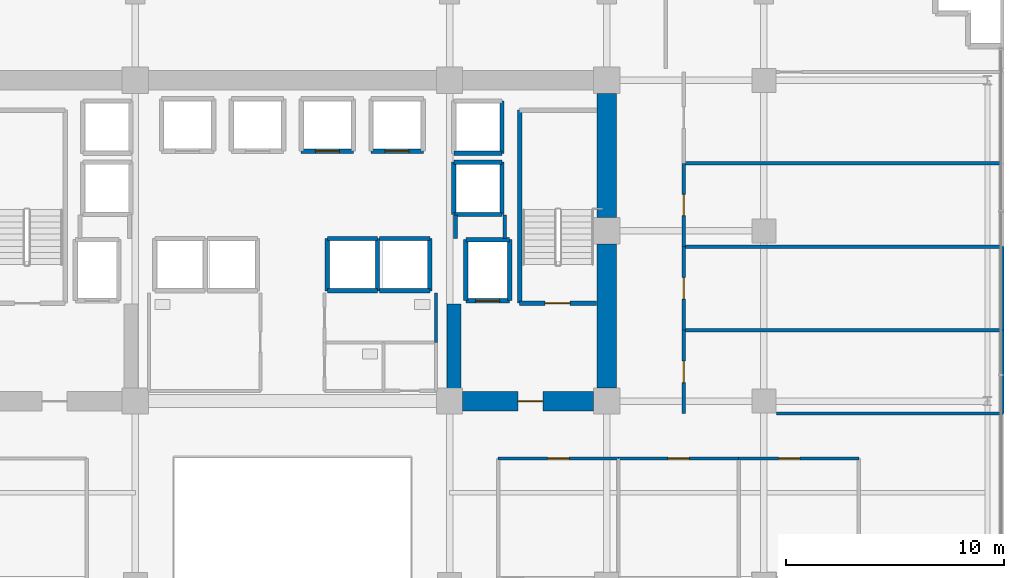
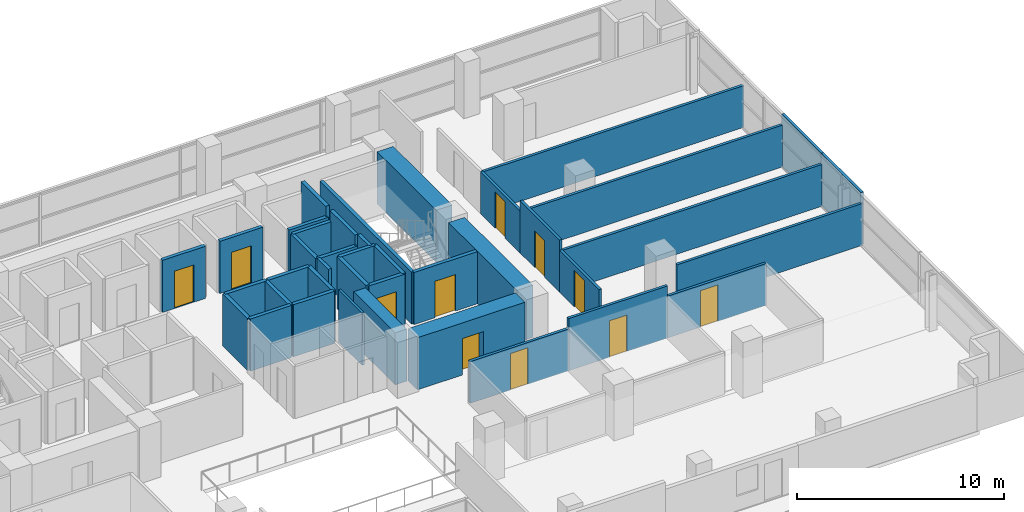
# One storey, part 26 of 32: 40 walls, 11 doors, 11 openings.
"""IFC4 building model written with IfcOpenShell, lengths in metres."""

from ifc_helpers import new_model, si_unit, direction, frame, frame_2d, origin, place, context, subcontext, project, spatial, rectangle, extrude, source, transform, mapped, material, layer, layer_set, type_object, element, fill, save


model = new_model("IFC4")

# Units and contexts
model_context = context("Model", 3, precision=1e-05, world=origin(), true_north=direction((0.0, 1.0)))
body_context = subcontext(model_context, "Body", "Model", "MODEL_VIEW")
ifc_project = project(units=[si_unit("LENGTHUNIT", "METRE"), si_unit("AREAUNIT", "SQUARE_METRE"), si_unit("VOLUMEUNIT", "CUBIC_METRE"), si_unit("PLANEANGLEUNIT", "RADIAN"), si_unit("MASSUNIT", "GRAM", prefix="KILO")], contexts=[model_context])

# Site, building, storey
site_placement = place(None, origin())
site = spatial("IfcSite", under=ifc_project, at=site_placement, CompositionType="ELEMENT")
building_placement = place(site_placement, origin())
building = spatial("IfcBuilding", under=site, at=building_placement, Name="Zarnakvel Exchange Tower", CompositionType="ELEMENT")
storey_placement = place(building_placement, frame((0.0, 0.0, 73.60009765625)))
storey = spatial("IfcBuildingStorey", under=building, at=storey_placement, Name="L20", CompositionType="ELEMENT", Elevation=73.60009765625)

# Walls
ifc_material_1 = material(Name="Concrete C80/95", Category="concrete")
ifc_layer_1 = layer(ifc_material_1, 0.89990234375)
ifc_layer_set_1 = layer_set([ifc_layer_1], Name="Concrete C80/95")
wall_type_1 = type_object("IfcWallType", Name="CW-C1", PredefinedType="SHEAR", material=ifc_layer_set_1)
wall_1_placement = place(storey_placement, frame((14.39990234375, -0.60009765625, 0.0), z_axis=(0.0, 0.0, 1.0), x_axis=(0.0, 1.0, 0.0)))
element("IfcWall", 1, at=wall_1_placement, inside=storey, type_object=wall_type_1, Name="L20 Rear Core Shear Wall E1 (CW-C1)", PredefinedType="SHEAR", context=body_context, shape_type="SweptSolid", body=[
    extrude(rectangle(XDim=6.60009765625, YDim=0.89990234375, at=frame_2d((3.300048828125, 0.0))), origin(), (0.0, 0.0, 1.0), 3.074951171875),
])
wall_2_placement = place(storey_placement, frame((14.39990234375, 7.199951171875, 0.0), z_axis=(0.0, 0.0, 1.0), x_axis=(0.0, 1.0, 0.0)))
element("IfcWall", 2, at=wall_2_placement, inside=storey, type_object=wall_type_1, Name="L20 Rear Core Shear Wall E2 (CW-C1)", PredefinedType="SHEAR", context=body_context, shape_type="SweptSolid", body=[
    extrude(rectangle(XDim=5.699951171875, YDim=0.89990234375, at=frame_2d((2.85009765625, 0.0))), origin(), (0.0, 0.0, 1.0), 3.074951171875),
])

# Wall, opening, door
wall_3_placement = place(storey_placement, frame((13.800048828125, -1.199951171875, 0.0), z_axis=(0.0, 0.0, 1.0), x_axis=(-1.0, 0.0, 0.0)))
wall_3 = element("IfcWall", 3, at=wall_3_placement, inside=storey, type_object=wall_type_1, Name="L20 Rear Core Shear Wall SE (CW-C1)", PredefinedType="SHEAR", context=body_context, shape_type="SweptSolid", body=[
    extrude(rectangle(XDim=6.0, YDim=0.89990234375, at=frame_2d((3.0, 0.0))), origin(), (0.0, 0.0, 1.0), 3.074951171875),
])
opening_1_placement = place(wall_3_placement, frame((2.324951171875, 0.0, 0.0)))
opening_1 = element("IfcOpeningElement", 4, at=opening_1_placement, cuts=wall_3, Name="Opening D-L20-04", PredefinedType="OPENING", context=body_context, shape_type="SweptSolid", body=[
    extrude(rectangle(XDim=1.14990234375, YDim=2.14990234375, at=frame_2d((0.574951171875, 1.074951171875))), frame((0.0, 0.4599609375, 0.0), z_axis=(0.0, -1.0, 0.0), x_axis=(1.0, 0.0, 0.0)), (0.0, 0.0, 1.0), 0.919921875),
])
ifc_material_2 = material(Name="Painted Galvanised Steel S355", Category="steel")
door_type_1 = type_object("IfcDoorType", Name="DT-04", OperationType="NOTDEFINED", PredefinedType="DOOR", material=ifc_material_2)
shared_shape_1 = source(origin(), body_context, "Body", "SweptSolid", [
    extrude(rectangle(XDim=1.14990234375, YDim=2.14990234375, at=frame_2d((0.574951171875, 1.074951171875))), frame((0.0, 0.02490234375, 0.0), z_axis=(0.0, -1.0, 0.0), x_axis=(1.0, 0.0, 0.0)), (0.0, 0.0, 1.0), 0.050048828125),
])
door_1_placement = place(opening_1_placement, origin())
door_1 = element("IfcDoor", 5, at=door_1_placement, inside=storey, type_object=door_type_1, Name="L20 Firefighting Lobby East Door D-L20-04", OperationType="SINGLE_SWING_RIGHT", OverallHeight=2.14990234375, OverallWidth=1.14990234375, PredefinedType="DOOR", context=body_context, shape_type="MappedRepresentation", body=[
    mapped(shared_shape_1, transform((0.0, 0.0, 0.0), x_axis=(1.0, 0.0, 0.0), y_axis=(0.0, 1.0, 0.0), z_axis=(0.0, 0.0, 1.0), scale=1.0)),
])
fill(opening_1, door_1)

# Wall
ifc_layer_2 = layer(ifc_material_1, 0.64990234375)
ifc_layer_set_2 = layer_set([ifc_layer_2], Name="Concrete C80/95")
wall_type_2 = type_object("IfcWallType", Name="CW-C2", PredefinedType="SHEAR", material=ifc_layer_set_2)
wall_4_placement = place(storey_placement, frame((7.39990234375, -0.75, 0.0), z_axis=(0.0, 0.0, 1.0), x_axis=(0.0, 1.0, 0.0)))
element("IfcWall", 6, at=wall_4_placement, inside=storey, type_object=wall_type_2, Name="L20 Rear Core Shear Wall IE (CW-C2)", PredefinedType="SHEAR", context=body_context, shape_type="SweptSolid", body=[
    extrude(rectangle(XDim=4.0, YDim=0.64990234375, at=frame_2d((2.0, 0.0))), origin(), (0.0, 0.0, 1.0), 3.074951171875),
])

# Wall, opening, door
ifc_material_3 = material(Name="Fire-Rated Gypsum Stud Partition", Category="gypsum")
ifc_layer_3 = layer(ifc_material_3, 0.14990234375)
ifc_layer_set_3 = layer_set([ifc_layer_3], Name="Fire-Rated Gypsum Stud Partition")
wall_type_3 = type_object("IfcWallType", Name="PT-01", PredefinedType="PARTITIONING", material=ifc_layer_set_3)
wall_5_placement = place(storey_placement, frame((9.429931640625, -3.830078125, 0.0), z_axis=(0.0, 0.0, 1.0), x_axis=(1.0, 0.0, 0.0)))
wall_5 = element("IfcWall", 7, at=wall_5_placement, inside=storey, type_object=wall_type_3, Name="L20 Partition Wall PWALL-L20-033 (PT-01)", PredefinedType="PARTITIONING", context=body_context, shape_type="SweptSolid", body=[
    extrude(rectangle(XDim=5.507568359375, YDim=0.14990234375, at=frame_2d((2.75390625, 0.0))), origin(), (0.0, 0.0, 1.0), 2.46484375),
])
opening_2_placement = place(wall_5_placement, frame((2.263916015625, 0.0, 0.0)))
opening_2 = element("IfcOpeningElement", 8, at=opening_2_placement, cuts=wall_5, Name="Opening D-L20-12", PredefinedType="OPENING", context=body_context, shape_type="SweptSolid", body=[
    extrude(rectangle(XDim=0.97998046875, YDim=2.14990234375, at=frame_2d((0.489990234375, 1.074951171875))), frame((0.0, 0.0849609375, 0.0), z_axis=(0.0, -1.0, 0.0), x_axis=(1.0, 0.0, 0.0)), (0.0, 0.0, 1.0), 0.169921875),
])
ifc_material_4 = material(Name="Timber Acoustic Veneer", Category="wood")
door_type_2 = type_object("IfcDoorType", Name="DT-05", OperationType="NOTDEFINED", PredefinedType="DOOR", material=ifc_material_4)
shared_shape_2 = source(origin(), body_context, "Body", "SweptSolid", [
    extrude(rectangle(XDim=0.97998046875, YDim=2.14990234375, at=frame_2d((0.489990234375, 1.074951171875))), frame((0.0, 0.02490234375, 0.0), z_axis=(0.0, -1.0, 0.0), x_axis=(1.0, 0.0, 0.0)), (0.0, 0.0, 1.0), 0.050048828125),
])
door_2_placement = place(opening_2_placement, origin())
door_2 = element("IfcDoor", 9, at=door_2_placement, inside=storey, type_object=door_type_2, Name="L20 Boardroom Door D-L20-12", OperationType="SINGLE_SWING_RIGHT", OverallHeight=2.14990234375, OverallWidth=0.97998046875, PredefinedType="DOOR", context=body_context, shape_type="MappedRepresentation", body=[
    mapped(shared_shape_2, transform((0.0, 0.0, 0.0), x_axis=(1.0, 0.0, 0.0), y_axis=(0.0, 1.0, 0.0), z_axis=(0.0, 0.0, 1.0), scale=1.0)),
])
fill(opening_2, door_2)

wall_6_placement = place(storey_placement, frame((14.9375, -3.830078125, 0.0), z_axis=(0.0, 0.0, 1.0), x_axis=(1.0, 0.0, 0.0)))
wall_6 = element("IfcWall", 10, at=wall_6_placement, inside=storey, type_object=wall_type_3, Name="L20 Partition Wall PWALL-L20-037 (PT-01)", PredefinedType="PARTITIONING", context=body_context, shape_type="SweptSolid", body=[
    extrude(rectangle(XDim=5.5078125, YDim=0.14990234375, at=frame_2d((2.75390625, 0.0))), origin(), (0.0, 0.0, 1.0), 3.074951171875),
])
opening_3_placement = place(wall_6_placement, frame((2.263427734375, 0.0, 0.0)))
opening_3 = element("IfcOpeningElement", 11, at=opening_3_placement, cuts=wall_6, Name="Opening D-L20-13", PredefinedType="OPENING", context=body_context, shape_type="SweptSolid", body=[
    extrude(rectangle(XDim=0.97998046875, YDim=2.14990234375, at=frame_2d((0.489990234375, 1.074951171875))), frame((0.0, 0.0849609375, 0.0), z_axis=(0.0, -1.0, 0.0), x_axis=(1.0, 0.0, 0.0)), (0.0, 0.0, 1.0), 0.169921875),
])
door_3_placement = place(opening_3_placement, origin())
door_3 = element("IfcDoor", 12, at=door_3_placement, inside=storey, type_object=door_type_2, Name="L20 Conference Room Door D-L20-13", OperationType="SINGLE_SWING_LEFT", OverallHeight=2.14990234375, OverallWidth=0.97998046875, PredefinedType="DOOR", context=body_context, shape_type="MappedRepresentation", body=[
    mapped(shared_shape_2, transform((0.0, 0.0, 0.0), x_axis=(1.0, 0.0, 0.0), y_axis=(0.0, 1.0, 0.0), z_axis=(0.0, 0.0, 1.0), scale=1.0)),
])
fill(opening_3, door_3)

wall_7_placement = place(storey_placement, frame((20.4453125, -3.830078125, 0.0), z_axis=(0.0, 0.0, 1.0), x_axis=(1.0, 0.0, 0.0)))
wall_7 = element("IfcWall", 13, at=wall_7_placement, inside=storey, type_object=wall_type_3, Name="L20 Partition Wall PWALL-L20-040 (PT-01)", PredefinedType="PARTITIONING", context=body_context, shape_type="SweptSolid", body=[
    extrude(rectangle(XDim=5.507568359375, YDim=0.14990234375, at=frame_2d((2.75390625, 0.0))), origin(), (0.0, 0.0, 1.0), 2.46484375),
])
opening_4_placement = place(wall_7_placement, frame((1.827880859375, 0.0, 0.0)))
opening_4 = element("IfcOpeningElement", 14, at=opening_4_placement, cuts=wall_7, Name="Opening D-L20-14", PredefinedType="OPENING", context=body_context, shape_type="SweptSolid", body=[
    extrude(rectangle(XDim=0.97998046875, YDim=2.14990234375, at=frame_2d((0.489990234375, 1.074951171875))), frame((0.0, 0.0849609375, 0.0), z_axis=(0.0, -1.0, 0.0), x_axis=(1.0, 0.0, 0.0)), (0.0, 0.0, 1.0), 0.169921875),
])
door_4_placement = place(opening_4_placement, origin())
door_4 = element("IfcDoor", 15, at=door_4_placement, inside=storey, type_object=door_type_2, Name="L20 Executive Pantry Door D-L20-14", OperationType="SINGLE_SWING_RIGHT", OverallHeight=2.14990234375, OverallWidth=0.97998046875, PredefinedType="DOOR", context=body_context, shape_type="MappedRepresentation", body=[
    mapped(shared_shape_2, transform((0.0, 0.0, 0.0), x_axis=(1.0, 0.0, 0.0), y_axis=(0.0, 1.0, 0.0), z_axis=(0.0, 0.0, 1.0), scale=1.0)),
])
fill(opening_4, door_4)

# Walls
wall_8_placement = place(storey_placement, frame((32.530029296875, -1.77001953125, 0.0), z_axis=(0.0, 0.0, 1.0), x_axis=(-1.0, 0.0, 0.0)))
element("IfcWall", 16, at=wall_8_placement, inside=storey, type_object=wall_type_3, Name="L20 Partition Wall PWALL-L20-051 (PT-01)", PredefinedType="PARTITIONING", context=body_context, shape_type="SweptSolid", body=[
    extrude(rectangle(XDim=10.360107421875, YDim=0.14990234375, at=frame_2d((5.18017578125, 0.0))), origin(), (0.0, 0.0, 1.0), 2.46484375),
])
wall_9_placement = place(storey_placement, frame((17.929931640625, 2.051025390625, 0.0), z_axis=(0.0, 0.0, 1.0), x_axis=(1.0, 0.0, 0.0)))
element("IfcWall", 17, at=wall_9_placement, inside=storey, type_object=wall_type_3, Name="L20 Partition Wall PWALL-L20-052 (PT-01)", PredefinedType="PARTITIONING", context=body_context, shape_type="SweptSolid", body=[
    extrude(rectangle(XDim=14.60009765625, YDim=0.14990234375, at=frame_2d((7.300048828125, 0.0))), origin(), (0.0, 0.0, 1.0), 2.46484375),
])

# Wall, opening, door
wall_10_placement = place(storey_placement, frame((17.929931640625, -1.77001953125, 0.0), z_axis=(0.0, 0.0, 1.0), x_axis=(0.0, 1.0, 0.0)))
wall_10 = element("IfcWall", 18, at=wall_10_placement, inside=storey, type_object=wall_type_3, Name="L20 Partition Wall PWALL-L20-053 (PT-01)", PredefinedType="PARTITIONING", context=body_context, shape_type="SweptSolid", body=[
    extrude(rectangle(XDim=3.821044921875, YDim=0.14990234375, at=frame_2d((1.91064453125, 0.0))), origin(), (0.0, 0.0, 1.0), 2.46484375),
])
opening_5_placement = place(wall_10_placement, frame((1.4208984375, 0.0, 0.0)))
opening_5 = element("IfcOpeningElement", 19, at=opening_5_placement, cuts=wall_10, Name="Opening D-L20-18", PredefinedType="OPENING", context=body_context, shape_type="SweptSolid", body=[
    extrude(rectangle(XDim=0.97998046875, YDim=2.14990234375, at=frame_2d((0.489990234375, 1.074951171875))), frame((0.0, 0.0849609375, 0.0), z_axis=(0.0, -1.0, 0.0), x_axis=(1.0, 0.0, 0.0)), (0.0, 0.0, 1.0), 0.169921875),
])
door_5_placement = place(opening_5_placement, origin())
door_5 = element("IfcDoor", 20, at=door_5_placement, inside=storey, type_object=door_type_2, Name="L20 Executive Pantry Door D-L20-18", OperationType="SINGLE_SWING_RIGHT", OverallHeight=2.14990234375, OverallWidth=0.97998046875, PredefinedType="DOOR", context=body_context, shape_type="MappedRepresentation", body=[
    mapped(shared_shape_2, transform((0.0, 0.0, 0.0), x_axis=(1.0, 0.0, 0.0), y_axis=(0.0, 1.0, 0.0), z_axis=(0.0, 0.0, 1.0), scale=1.0)),
])
fill(opening_5, door_5)

# Walls
wall_11_placement = place(storey_placement, frame((32.530029296875, 2.051025390625, 0.0), z_axis=(0.0, 0.0, 1.0), x_axis=(0.0, -1.0, 0.0)))
element("IfcWall", 21, at=wall_11_placement, inside=storey, type_object=wall_type_3, Name="L20 Partition Wall PWALL-L20-054 (PT-01)", PredefinedType="PARTITIONING", context=body_context, shape_type="SweptSolid", body=[
    extrude(rectangle(XDim=3.821044921875, YDim=0.14990234375, at=frame_2d((1.91064453125, 0.0))), origin(), (0.0, 0.0, 1.0), 3.074951171875),
])
wall_12_placement = place(storey_placement, frame((17.929931640625, 5.8720703125, 0.0), z_axis=(0.0, 0.0, 1.0), x_axis=(1.0, 0.0, 0.0)))
element("IfcWall", 22, at=wall_12_placement, inside=storey, type_object=wall_type_3, Name="L20 Partition Wall PWALL-L20-055 (PT-01)", PredefinedType="PARTITIONING", context=body_context, shape_type="SweptSolid", body=[
    extrude(rectangle(XDim=14.60009765625, YDim=0.14990234375, at=frame_2d((7.300048828125, 0.0))), origin(), (0.0, 0.0, 1.0), 2.46484375),
])

# Wall, opening, door
wall_13_placement = place(storey_placement, frame((17.929931640625, 2.051025390625, 0.0), z_axis=(0.0, 0.0, 1.0), x_axis=(0.0, 1.0, 0.0)))
wall_13 = element("IfcWall", 23, at=wall_13_placement, inside=storey, type_object=wall_type_3, Name="L20 Partition Wall PWALL-L20-056 (PT-01)", PredefinedType="PARTITIONING", context=body_context, shape_type="SweptSolid", body=[
    extrude(rectangle(XDim=3.821044921875, YDim=0.14990234375, at=frame_2d((1.91064453125, 0.0))), origin(), (0.0, 0.0, 1.0), 3.074951171875),
])
opening_6_placement = place(wall_13_placement, frame((1.4208984375, 0.0, 0.0)))
opening_6 = element("IfcOpeningElement", 24, at=opening_6_placement, cuts=wall_13, Name="Opening D-L20-19", PredefinedType="OPENING", context=body_context, shape_type="SweptSolid", body=[
    extrude(rectangle(XDim=0.97998046875, YDim=2.14990234375, at=frame_2d((0.489990234375, 1.074951171875))), frame((0.0, 0.0849609375, 0.0), z_axis=(0.0, -1.0, 0.0), x_axis=(1.0, 0.0, 0.0)), (0.0, 0.0, 1.0), 0.169921875),
])
door_6_placement = place(opening_6_placement, origin())
door_6 = element("IfcDoor", 25, at=door_6_placement, inside=storey, type_object=door_type_2, Name="L20 Legal Records Office Door D-L20-19", OperationType="SINGLE_SWING_LEFT", OverallHeight=2.14990234375, OverallWidth=0.97998046875, PredefinedType="DOOR", context=body_context, shape_type="MappedRepresentation", body=[
    mapped(shared_shape_2, transform((0.0, 0.0, 0.0), x_axis=(1.0, 0.0, 0.0), y_axis=(0.0, 1.0, 0.0), z_axis=(0.0, 0.0, 1.0), scale=1.0)),
])
fill(opening_6, door_6)

# Walls
wall_14_placement = place(storey_placement, frame((32.530029296875, 5.8720703125, 0.0), z_axis=(0.0, 0.0, 1.0), x_axis=(0.0, -1.0, 0.0)))
element("IfcWall", 26, at=wall_14_placement, inside=storey, type_object=wall_type_3, Name="L20 Partition Wall PWALL-L20-057 (PT-01)", PredefinedType="PARTITIONING", context=body_context, shape_type="SweptSolid", body=[
    extrude(rectangle(XDim=3.821044921875, YDim=0.14990234375, at=frame_2d((1.91064453125, 0.0))), origin(), (0.0, 0.0, 1.0), 3.074951171875),
])
wall_15_placement = place(storey_placement, frame((17.929931640625, 9.693115234375, 0.0), z_axis=(0.0, 0.0, 1.0), x_axis=(1.0, 0.0, 0.0)))
element("IfcWall", 27, at=wall_15_placement, inside=storey, type_object=wall_type_3, Name="L20 Partition Wall PWALL-L20-058 (PT-01)", PredefinedType="PARTITIONING", context=body_context, shape_type="SweptSolid", body=[
    extrude(rectangle(XDim=14.60009765625, YDim=0.14990234375, at=frame_2d((7.300048828125, 0.0))), origin(), (0.0, 0.0, 1.0), 2.46484375),
])

# Wall, opening, door
wall_16_placement = place(storey_placement, frame((17.929931640625, 5.8720703125, 0.0), z_axis=(0.0, 0.0, 1.0), x_axis=(0.0, 1.0, 0.0)))
wall_16 = element("IfcWall", 28, at=wall_16_placement, inside=storey, type_object=wall_type_3, Name="L20 Partition Wall PWALL-L20-059 (PT-01)", PredefinedType="PARTITIONING", context=body_context, shape_type="SweptSolid", body=[
    extrude(rectangle(XDim=3.821044921875, YDim=0.14990234375, at=frame_2d((1.91064453125, 0.0))), origin(), (0.0, 0.0, 1.0), 2.46484375),
])
opening_7_placement = place(wall_16_placement, frame((1.419921875, 0.0, 0.0)))
opening_7 = element("IfcOpeningElement", 29, at=opening_7_placement, cuts=wall_16, Name="Opening D-L20-20", PredefinedType="OPENING", context=body_context, shape_type="SweptSolid", body=[
    extrude(rectangle(XDim=0.97998046875, YDim=2.14990234375, at=frame_2d((0.489990234375, 1.074951171875))), frame((0.0, 0.0849609375, 0.0), z_axis=(0.0, -1.0, 0.0), x_axis=(1.0, 0.0, 0.0)), (0.0, 0.0, 1.0), 0.169921875),
])
door_7_placement = place(opening_7_placement, origin())
door_7 = element("IfcDoor", 30, at=door_7_placement, inside=storey, type_object=door_type_2, Name="L20 Client Advisory Suite Door D-L20-20", OperationType="SINGLE_SWING_RIGHT", OverallHeight=2.14990234375, OverallWidth=0.97998046875, PredefinedType="DOOR", context=body_context, shape_type="MappedRepresentation", body=[
    mapped(shared_shape_2, transform((0.0, 0.0, 0.0), x_axis=(1.0, 0.0, 0.0), y_axis=(0.0, 1.0, 0.0), z_axis=(0.0, 0.0, 1.0), scale=1.0)),
])
fill(opening_7, door_7)

# Walls
ifc_layer_4 = layer(ifc_material_3, 0.179931640625)
ifc_layer_set_4 = layer_set([ifc_layer_4], Name="Fire-Rated Gypsum Stud Partition")
wall_type_4 = type_object("IfcWallType", Name="PT-02", PredefinedType="PARTITIONING", material=ifc_layer_set_4)
wall_17_placement = place(storey_placement, frame((7.469970703125, 6.239990234375, 0.0), z_axis=(0.0, 0.0, 1.0), x_axis=(0.0, 1.0, 0.0)))
element("IfcWall", 31, at=wall_17_placement, inside=storey, type_object=wall_type_4, Name="L20 Partition Wall PWALL-L20-009 (PT-02)", PredefinedType="PARTITIONING", context=body_context, shape_type="SweptSolid", body=[
    extrude(rectangle(XDim=1.090087890625, YDim=0.179931640625, at=frame_2d((0.544921875, 0.0))), origin(), (0.0, 0.0, 1.0), 2.46484375),
])
wall_18_placement = place(storey_placement, frame((9.72998046875, 7.330078125, 0.0), z_axis=(0.0, 0.0, 1.0), x_axis=(0.0, -1.0, 0.0)))
element("IfcWall", 32, at=wall_18_placement, inside=storey, type_object=wall_type_4, Name="L20 Partition Wall PWALL-L20-010 (PT-02)", PredefinedType="PARTITIONING", context=body_context, shape_type="SweptSolid", body=[
    extrude(rectangle(XDim=1.090087890625, YDim=0.179931640625, at=frame_2d((0.544921875, 0.0))), origin(), (0.0, 0.0, 1.0), 3.074951171875),
])
ifc_material_5 = material(Name="Moisture-Resistant Tile-Faced Partition", Category="gypsum")
ifc_layer_5 = layer(ifc_material_5, 0.135009765625)
ifc_layer_set_5 = layer_set([ifc_layer_5], Name="Moisture-Resistant Tile-Faced Partition")
wall_type_5 = type_object("IfcWallType", Name="PT-03", PredefinedType="PARTITIONING", material=ifc_layer_set_5)
wall_19_placement = place(storey_placement, frame((6.580078125, 3.760009765625, 0.0), z_axis=(0.0, 0.0, 1.0), x_axis=(0.0, -1.0, 0.0)))
element("IfcWall", 33, at=wall_19_placement, inside=storey, type_object=wall_type_5, Name="L20 Partition Wall PWALL-L20-016 (PT-03)", PredefinedType="PARTITIONING", context=body_context, shape_type="SweptSolid", body=[
    extrude(rectangle(XDim=2.280029296875, YDim=0.135009765625, at=frame_2d((1.14013671875, 0.0))), origin(), (0.0, 0.0, 1.0), 3.074951171875),
])

# Wall, opening, door
ifc_material_6 = material(Name="Concrete C40/50", Category="concrete")
ifc_layer_6 = layer(ifc_material_6, 0.199951171875)
ifc_layer_set_6 = layer_set([ifc_layer_6], Name="Concrete C40/50")
wall_type_6 = type_object("IfcWallType", Name="SW-01", PredefinedType="SOLIDWALL", material=ifc_layer_set_6)
wall_20_placement = place(storey_placement, frame((9.949951171875, 3.39990234375, 0.0), z_axis=(0.0, 0.0, 1.0), x_axis=(-1.0, 0.0, 0.0)))
wall_20 = element("IfcWall", 34, at=wall_20_placement, inside=storey, type_object=wall_type_6, Name="L20 FL-02 Hoistway Wall South", PredefinedType="SOLIDWALL", context=body_context, shape_type="SweptSolid", body=[
    extrude(rectangle(XDim=2.0, YDim=0.199951171875, at=frame_2d((1.0, 0.0))), origin(), (0.0, 0.0, 1.0), 3.074951171875),
])
opening_8_placement = place(wall_20_placement, frame((0.449951171875, 0.0, 0.0)))
opening_8 = element("IfcOpeningElement", 35, at=opening_8_placement, cuts=wall_20, Name="Opening LD-FL-02-L20", PredefinedType="OPENING", context=body_context, shape_type="SweptSolid", body=[
    extrude(rectangle(XDim=1.10009765625, YDim=2.199951171875, at=frame_2d((0.550048828125, 1.10009765625))), frame((0.0, 0.10986328125, 0.0), z_axis=(0.0, -1.0, 0.0), x_axis=(1.0, 0.0, 0.0)), (0.0, 0.0, 1.0), 0.219970703125),
])
ifc_material_7 = material(Name="Brushed Stainless Steel", Category="steel")
door_type_3 = type_object("IfcDoorType", Name="LDT-01", OperationType="NOTDEFINED", PredefinedType="DOOR", material=ifc_material_7)
shared_shape_3 = source(origin(), body_context, "Body", "SweptSolid", [
    extrude(rectangle(XDim=1.10009765625, YDim=2.199951171875, at=frame_2d((0.550048828125, 1.10009765625))), frame((0.0, 0.02490234375, 0.0), z_axis=(0.0, -1.0, 0.0), x_axis=(1.0, 0.0, 0.0)), (0.0, 0.0, 1.0), 0.050048828125),
])
door_8_placement = place(opening_8_placement, origin())
door_8 = element("IfcDoor", 36, at=door_8_placement, inside=storey, type_object=door_type_3, Name="L20 FL-02 Lift Landing Door LD-FL-02-L20", OperationType="DOUBLE_DOOR_SLIDING", OverallHeight=2.199951171875, OverallWidth=1.10009765625, PredefinedType="DOOR", context=body_context, shape_type="MappedRepresentation", body=[
    mapped(shared_shape_3, transform((0.0, 0.0, 0.0), x_axis=(1.0, 0.0, 0.0), y_axis=(0.0, 1.0, 0.0), z_axis=(0.0, 0.0, 1.0), scale=1.0)),
])
fill(opening_8, door_8)

# Walls
wall_21_placement = place(storey_placement, frame((7.949951171875, 6.199951171875, 0.0), z_axis=(0.0, 0.0, 1.0), x_axis=(1.0, 0.0, 0.0)))
element("IfcWall", 37, at=wall_21_placement, inside=storey, type_object=wall_type_6, Name="L20 FL-02 Hoistway Wall North", PredefinedType="SOLIDWALL", context=body_context, shape_type="SweptSolid", body=[
    extrude(rectangle(XDim=2.0, YDim=0.199951171875, at=frame_2d((1.0, 0.0))), origin(), (0.0, 0.0, 1.0), 3.074951171875),
])
for number, where, z_axis, x_axis, name in (
    (38, (7.949951171875, 3.39990234375, 0.0), (0.0, 0.0, 1.0), (0.0, 1.0, 0.0), "L20 FL-02 Hoistway Wall West"),
    (39, (9.949951171875, 6.199951171875, 0.0), (0.0, 0.0, 1.0), (0.0, -1.0, 0.0), "L20 FL-02 Hoistway Wall East"),
):
    element("IfcWall", number, at=place(storey_placement, frame(where, z_axis=z_axis, x_axis=x_axis)), inside=storey, type_object=wall_type_6, Name=name, PredefinedType="SOLIDWALL", context=body_context, shape_type="SweptSolid", body=[
        extrude(rectangle(XDim=2.800048828125, YDim=0.199951171875, at=frame_2d((1.39990234375, 0.0))), origin(), (0.0, 0.0, 1.0), 3.074951171875),
    ])

# Wall, opening, door
wall_22_placement = place(storey_placement, frame((2.800048828125, 10.25, 0.0), z_axis=(0.0, 0.0, 1.0), x_axis=(-1.0, 0.0, 0.0)))
wall_22 = element("IfcWall", 40, at=wall_22_placement, inside=storey, type_object=wall_type_6, Name="L20 PL-03 Hoistway Wall South", PredefinedType="SOLIDWALL", context=body_context, shape_type="SweptSolid", body=[
    extrude(rectangle(XDim=2.400146484375, YDim=0.199951171875, at=frame_2d((1.2001953125, 0.0))), origin(), (0.0, 0.0, 1.0), 3.074951171875),
])
opening_9_placement = place(wall_22_placement, frame((0.64990234375, 0.0, 0.0)))
opening_9 = element("IfcOpeningElement", 41, at=opening_9_placement, cuts=wall_22, Name="Opening LD-PL-03-L20", PredefinedType="OPENING", context=body_context, shape_type="SweptSolid", body=[
    extrude(rectangle(XDim=1.10009765625, YDim=2.199951171875, at=frame_2d((0.550048828125, 1.10009765625))), frame((0.0, 0.10986328125, 0.0), z_axis=(0.0, -1.0, 0.0), x_axis=(1.0, 0.0, 0.0)), (0.0, 0.0, 1.0), 0.219970703125),
])
ifc_material_8 = material(Name="Architectural Bronze Anodised Aluminium", Category="aluminium")
door_type_4 = type_object("IfcDoorType", Name="LDT-02", OperationType="NOTDEFINED", PredefinedType="DOOR", material=ifc_material_8)
door_9_placement = place(opening_9_placement, origin())
door_9 = element("IfcDoor", 42, at=door_9_placement, inside=storey, type_object=door_type_4, Name="L20 PL-03 Lift Landing Door LD-PL-03-L20", OperationType="DOUBLE_DOOR_SLIDING", OverallHeight=2.199951171875, OverallWidth=1.10009765625, PredefinedType="DOOR", context=body_context, shape_type="MappedRepresentation", body=[
    mapped(shared_shape_3, transform((0.0, 0.0, 0.0), x_axis=(1.0, 0.0, 0.0), y_axis=(0.0, 1.0, 0.0), z_axis=(0.0, 0.0, 1.0), scale=1.0)),
])
fill(opening_9, door_9)

wall_23_placement = place(storey_placement, frame((6.0, 10.25, 0.0), z_axis=(0.0, 0.0, 1.0), x_axis=(-1.0, 0.0, 0.0)))
wall_23 = element("IfcWall", 43, at=wall_23_placement, inside=storey, type_object=wall_type_6, Name="L20 PL-04 Hoistway Wall South", PredefinedType="SOLIDWALL", context=body_context, shape_type="SweptSolid", body=[
    extrude(rectangle(XDim=2.39990234375, YDim=0.199951171875, at=frame_2d((1.199951171875, 0.0))), origin(), (0.0, 0.0, 1.0), 3.074951171875),
])
opening_10_placement = place(wall_23_placement, frame((0.64990234375, 0.0, 0.0)))
opening_10 = element("IfcOpeningElement", 44, at=opening_10_placement, cuts=wall_23, Name="Opening LD-PL-04-L20", PredefinedType="OPENING", context=body_context, shape_type="SweptSolid", body=[
    extrude(rectangle(XDim=1.10009765625, YDim=2.199951171875, at=frame_2d((0.550048828125, 1.10009765625))), frame((0.0, 0.10986328125, 0.0), z_axis=(0.0, -1.0, 0.0), x_axis=(1.0, 0.0, 0.0)), (0.0, 0.0, 1.0), 0.219970703125),
])
door_10_placement = place(opening_10_placement, origin())
door_10 = element("IfcDoor", 45, at=door_10_placement, inside=storey, type_object=door_type_4, Name="L20 PL-04 Lift Landing Door LD-PL-04-L20", OperationType="DOUBLE_DOOR_SLIDING", OverallHeight=2.199951171875, OverallWidth=1.10009765625, PredefinedType="DOOR", context=body_context, shape_type="MappedRepresentation", body=[
    mapped(shared_shape_3, transform((0.0, 0.0, 0.0), x_axis=(1.0, 0.0, 0.0), y_axis=(0.0, 1.0, 0.0), z_axis=(0.0, 0.0, 1.0), scale=1.0)),
])
fill(opening_10, door_10)

# Walls
for number, where, z_axis, x_axis, name in (
    (46, (3.89990234375, 3.85009765625, 0.0), (0.0, 0.0, 1.0), (-1.0, 0.0, 0.0), "L20 PL-07 Hoistway Wall South"),
    (47, (1.60009765625, 6.25, 0.0), (0.0, 0.0, 1.0), (1.0, 0.0, 0.0), "L20 PL-07 Hoistway Wall North"),
):
    element("IfcWall", number, at=place(storey_placement, frame(where, z_axis=z_axis, x_axis=x_axis)), inside=storey, type_object=wall_type_6, Name=name, PredefinedType="SOLIDWALL", context=body_context, shape_type="SweptSolid", body=[
        extrude(rectangle(XDim=2.2998046875, YDim=0.199951171875, at=frame_2d((1.14990234375, 0.0))), origin(), (0.0, 0.0, 1.0), 3.074951171875),
    ])
for number, where, z_axis, x_axis, name in (
    (48, (1.60009765625, 3.85009765625, 0.0), (0.0, 0.0, 1.0), (0.0, 1.0, 0.0), "L20 PL-07 Hoistway Wall West"),
    (49, (3.89990234375, 6.25, 0.0), (0.0, 0.0, 1.0), (0.0, -1.0, 0.0), "L20 PL-07 Hoistway Wall East"),
):
    element("IfcWall", number, at=place(storey_placement, frame(where, z_axis=z_axis, x_axis=x_axis)), inside=storey, type_object=wall_type_6, Name=name, PredefinedType="SOLIDWALL", context=body_context, shape_type="SweptSolid", body=[
        extrude(rectangle(XDim=2.39990234375, YDim=0.199951171875, at=frame_2d((1.199951171875, 0.0))), origin(), (0.0, 0.0, 1.0), 3.074951171875),
    ])
for number, where, z_axis, x_axis, name in (
    (50, (6.300048828125, 3.85009765625, 0.0), (0.0, 0.0, 1.0), (-1.0, 0.0, 0.0), "L20 PL-08 Hoistway Wall South"),
    (51, (4.0, 6.25, 0.0), (0.0, 0.0, 1.0), (1.0, 0.0, 0.0), "L20 PL-08 Hoistway Wall North"),
):
    element("IfcWall", number, at=place(storey_placement, frame(where, z_axis=z_axis, x_axis=x_axis)), inside=storey, type_object=wall_type_6, Name=name, PredefinedType="SOLIDWALL", context=body_context, shape_type="SweptSolid", body=[
        extrude(rectangle(XDim=2.300048828125, YDim=0.199951171875, at=frame_2d((1.14990234375, 0.0))), origin(), (0.0, 0.0, 1.0), 3.074951171875),
    ])
wall_24_placement = place(storey_placement, frame((6.300048828125, 6.25, 0.0), z_axis=(0.0, 0.0, 1.0), x_axis=(0.0, -1.0, 0.0)))
element("IfcWall", 52, at=wall_24_placement, inside=storey, type_object=wall_type_6, Name="L20 PL-08 Hoistway Wall East", PredefinedType="SOLIDWALL", context=body_context, shape_type="SweptSolid", body=[
    extrude(rectangle(XDim=2.39990234375, YDim=0.199951171875, at=frame_2d((1.199951171875, 0.0))), origin(), (0.0, 0.0, 1.0), 3.074951171875),
])
for number, where, z_axis, x_axis, name in (
    (53, (9.60009765625, 7.35009765625, 0.0), (0.0, 0.0, 1.0), (-1.0, 0.0, 0.0), "L20 PL-11 Hoistway Wall South"),
    (54, (7.39990234375, 9.75, 0.0), (0.0, 0.0, 1.0), (1.0, 0.0, 0.0), "L20 PL-11 Hoistway Wall North"),
):
    element("IfcWall", number, at=place(storey_placement, frame(where, z_axis=z_axis, x_axis=x_axis)), inside=storey, type_object=wall_type_6, Name=name, PredefinedType="SOLIDWALL", context=body_context, shape_type="SweptSolid", body=[
        extrude(rectangle(XDim=2.2001953125, YDim=0.199951171875, at=frame_2d((1.10009765625, 0.0))), origin(), (0.0, 0.0, 1.0), 2.46484375),
    ])
wall_25_placement = place(storey_placement, frame((7.39990234375, 7.35009765625, 0.0), z_axis=(0.0, 0.0, 1.0), x_axis=(0.0, 1.0, 0.0)))
element("IfcWall", 55, at=wall_25_placement, inside=storey, type_object=wall_type_6, Name="L20 PL-11 Hoistway Wall West", PredefinedType="SOLIDWALL", context=body_context, shape_type="SweptSolid", body=[
    extrude(rectangle(XDim=2.39990234375, YDim=0.199951171875, at=frame_2d((1.199951171875, 0.0))), origin(), (0.0, 0.0, 1.0), 2.46484375),
])
wall_26_placement = place(storey_placement, frame((9.60009765625, 9.75, 0.0), z_axis=(0.0, 0.0, 1.0), x_axis=(0.0, -1.0, 0.0)))
element("IfcWall", 56, at=wall_26_placement, inside=storey, type_object=wall_type_6, Name="L20 PL-11 Hoistway Wall East", PredefinedType="SOLIDWALL", context=body_context, shape_type="SweptSolid", body=[
    extrude(rectangle(XDim=2.39990234375, YDim=0.199951171875, at=frame_2d((1.199951171875, 0.0))), origin(), (0.0, 0.0, 1.0), 3.074951171875),
])
wall_27_placement = place(storey_placement, frame((9.60009765625, 10.14990234375, 0.0), z_axis=(0.0, 0.0, 1.0), x_axis=(-1.0, 0.0, 0.0)))
element("IfcWall", 57, at=wall_27_placement, inside=storey, type_object=wall_type_6, Name="L20 PL-12 Hoistway Wall South", PredefinedType="SOLIDWALL", context=body_context, shape_type="SweptSolid", body=[
    extrude(rectangle(XDim=2.2001953125, YDim=0.199951171875, at=frame_2d((1.10009765625, 0.0))), origin(), (0.0, 0.0, 1.0), 2.46484375),
])
wall_28_placement = place(storey_placement, frame((9.60009765625, 12.550048828125, 0.0), z_axis=(0.0, 0.0, 1.0), x_axis=(0.0, -1.0, 0.0)))
element("IfcWall", 58, at=wall_28_placement, inside=storey, type_object=wall_type_6, Name="L20 PL-12 Hoistway Wall East", PredefinedType="SOLIDWALL", context=body_context, shape_type="SweptSolid", body=[
    extrude(rectangle(XDim=2.400146484375, YDim=0.199951171875, at=frame_2d((1.2001953125, 0.0))), origin(), (0.0, 0.0, 1.0), 3.074951171875),
])

# Wall, opening, door
ifc_layer_7 = layer(ifc_material_6, 0.199951171875)
ifc_layer_set_7 = layer_set([ifc_layer_7], Name="Concrete C40/50")
wall_type_7 = type_object("IfcWallType", Name="SW-02", PredefinedType="SOLIDWALL", material=ifc_layer_set_7)
wall_29_placement = place(storey_placement, frame((13.929931640625, 3.2900390625, 0.0), z_axis=(0.0, 0.0, 1.0), x_axis=(-1.0, 0.0, 0.0)))
wall_29 = element("IfcWall", 59, at=wall_29_placement, inside=storey, type_object=wall_type_7, Name="L20 Stairwell Core Wall PWALL-L20-004 (SW-02)", PredefinedType="SOLIDWALL", context=body_context, shape_type="SweptSolid", body=[
    extrude(rectangle(XDim=3.52001953125, YDim=0.199951171875, at=frame_2d((1.760009765625, 0.0))), origin(), (0.0, 0.0, 1.0), 3.074951171875),
])
opening_11_placement = place(wall_29_placement, frame((1.205078125, 0.0, 0.0)))
opening_11 = element("IfcOpeningElement", 60, at=opening_11_placement, cuts=wall_29, Name="Opening D-L20-02", PredefinedType="OPENING", context=body_context, shape_type="SweptSolid", body=[
    extrude(rectangle(XDim=1.14990234375, YDim=2.14990234375, at=frame_2d((0.574951171875, 1.074951171875))), frame((0.0, 0.10986328125, 0.0), z_axis=(0.0, -1.0, 0.0), x_axis=(1.0, 0.0, 0.0)), (0.0, 0.0, 1.0), 0.219970703125),
])
door_11_placement = place(opening_11_placement, origin())
door_11 = element("IfcDoor", 61, at=door_11_placement, inside=storey, type_object=door_type_1, Name="L20 Stairwell ST-02 Door D-L20-02", OperationType="SINGLE_SWING_RIGHT", OverallHeight=2.14990234375, OverallWidth=1.14990234375, PredefinedType="DOOR", context=body_context, shape_type="MappedRepresentation", body=[
    mapped(shared_shape_1, transform((0.0, 0.0, 0.0), x_axis=(1.0, 0.0, 0.0), y_axis=(0.0, 1.0, 0.0), z_axis=(0.0, 0.0, 1.0), scale=1.0)),
])
fill(opening_11, door_11)

# Wall
wall_30_placement = place(storey_placement, frame((10.409912109375, 3.2900390625, 0.0), z_axis=(0.0, 0.0, 1.0), x_axis=(0.0, 1.0, 0.0)))
element("IfcWall", 62, at=wall_30_placement, inside=storey, type_object=wall_type_7, Name="L20 Stairwell Core Wall PWALL-L20-006 (SW-02)", PredefinedType="SOLIDWALL", context=body_context, shape_type="SweptSolid", body=[
    extrude(rectangle(XDim=8.83984375, YDim=0.199951171875, at=frame_2d((4.419921875, 0.0))), origin(), (0.0, 0.0, 1.0), 3.074951171875),
])

save(model, "model.ifc")
